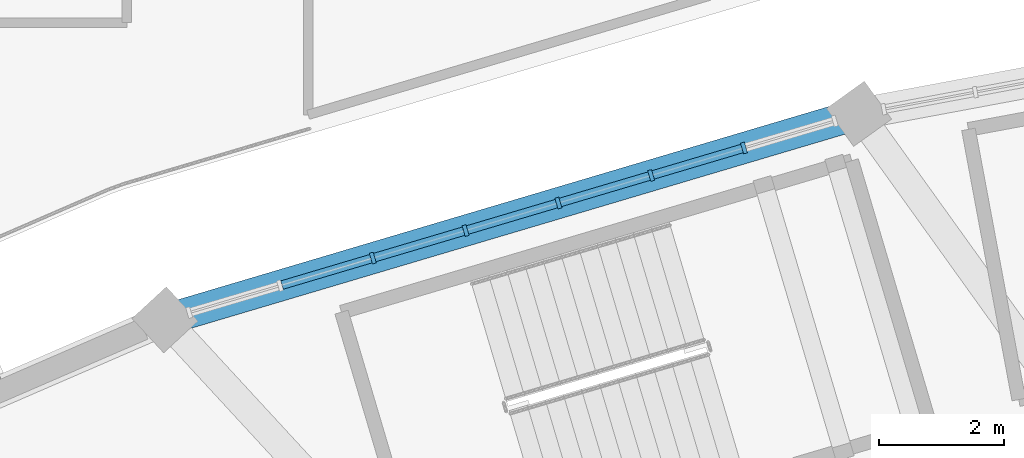
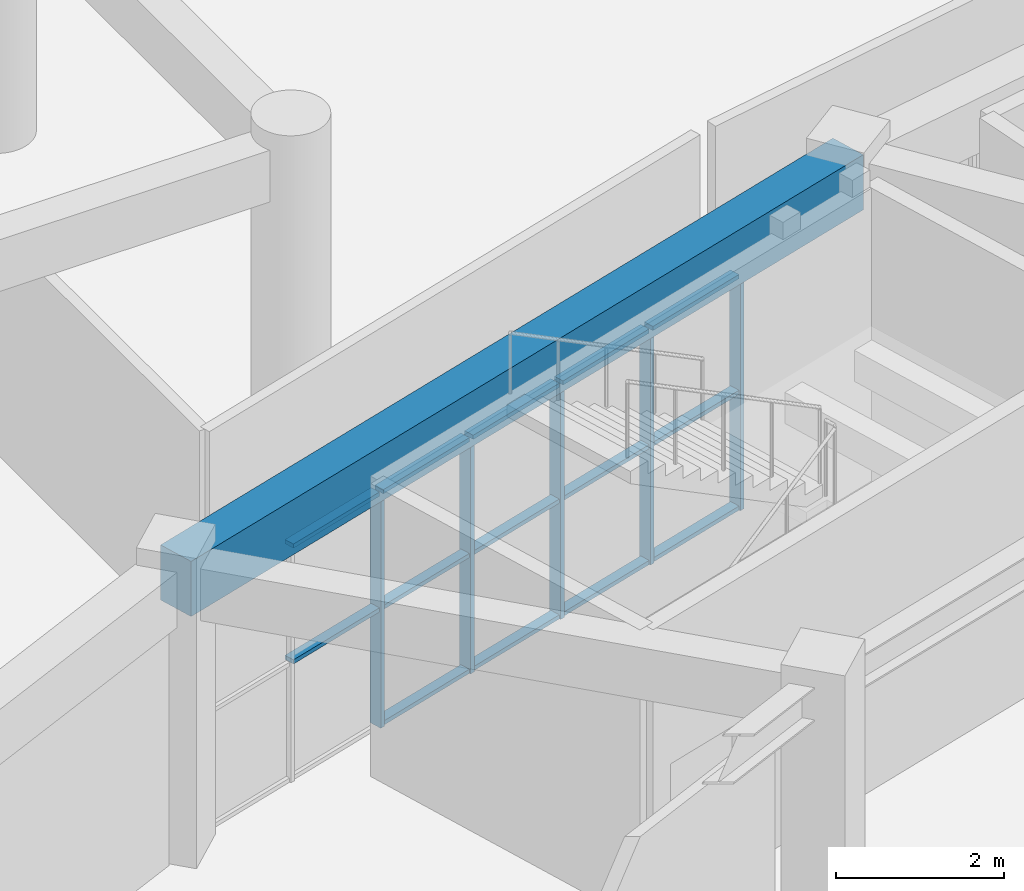
# One storey, part 52 of 141: 19 members, 1 beam, 1 element without a shape of its own.
"""IFC4 building model written with IfcOpenShell, lengths in metres."""

from ifc_helpers import new_model, si_unit, direction, frame, origin, origin_2d, place, context, subcontext, project, spatial, rectangle, extrude, material, layer, layer_set, material_profile, profile_set, type_object, element, aggregate, save


model = new_model("IFC4")

# Units and contexts
model_context = context("Model", 3, precision=1e-05, world=origin(), true_north=direction((0.0, 1.0)))
body_context = subcontext(model_context, "Body", "Model", "MODEL_VIEW")
ifc_project = project(units=[si_unit("LENGTHUNIT", "METRE"), si_unit("AREAUNIT", "SQUARE_METRE"), si_unit("VOLUMEUNIT", "CUBIC_METRE"), si_unit("PLANEANGLEUNIT", "RADIAN"), si_unit("MASSUNIT", "GRAM", prefix="KILO")], contexts=[model_context])

# Site, building, storey
site_placement = place(None, origin())
site = spatial("IfcSite", under=ifc_project, at=site_placement, CompositionType="ELEMENT")
building_placement = place(site_placement, origin())
building = spatial("IfcBuilding", under=site, at=building_placement, Name="Mphavela Belvedere Stadium", CompositionType="ELEMENT")
storey_placement = place(building_placement, frame((0.0, 0.0, 14.699951171875)))
storey = spatial("IfcBuildingStorey", under=building, at=storey_placement, Name="L03", CompositionType="ELEMENT", Elevation=14.699951171875)

# Beam
ifc_material_1 = material(Name="Concrete C40/50", Category="concrete")
ifc_material_profile_1 = material_profile(ifc_material_1, rectangle(XDim=0.5, YDim=0.800048828125, at=origin_2d()), Name="RC 500x800")
ifc_profile_set_1 = profile_set([ifc_material_profile_1], Name="Concrete C40/50")
beam_type = type_object("IfcBeamType", Name="BM-SPANDREL-800", PredefinedType="SPANDREL", material=ifc_profile_set_1)
beam_placement = place(storey_placement, frame((65.19873046875, 156.39697265625, 3.85009765625), z_axis=(-0.958656362639, -0.284566298727, 0.0), x_axis=(0.284566298727, -0.958656362639, 0.0)))
element("IfcBeam", 1, at=beam_placement, inside=storey, type_object=beam_type, Name="Circumferential girder L03 R4-16", PredefinedType="SPANDREL", context=body_context, shape_type="SweptSolid", body=[
    extrude(rectangle(XDim=0.5, YDim=0.800048828125, at=origin_2d()), origin(), (0.0, 0.0, 1.0), 11.616455078125),
])

# Curtain wall, members
ifc_material_2 = material(Name="Anodised bronze unitised curtain wall framing")
ifc_layer = layer(ifc_material_2, 0.18505859375)
ifc_layer_set = layer_set([ifc_layer], Name="Anodised bronze unitised curtain wall framing")
curtain_wall_type = type_object("IfcCurtainWallType", Name="CW-UNIT-02", PredefinedType="USERDEFINED", material=ifc_layer_set)
curtain_wall_placement = place(storey_placement, origin())
curtain_wall = element("IfcCurtainWall", 2, at=curtain_wall_placement, inside=storey, type_object=curtain_wall_type, Name="Belvedere colonnade curtain wall L03-16", ObjectType="UNITISED CURTAIN WALL", PredefinedType="USERDEFINED")
ifc_material_3 = material(Name="Anodised bronze extruded aluminium", Category="aluminium")
ifc_material_profile_2 = material_profile(ifc_material_3, rectangle(XDim=0.179931640625, YDim=0.06494140625, at=origin_2d()), Name="CW-MUL 180x65")
ifc_profile_set_2 = profile_set([ifc_material_profile_2], Name="Anodised bronze extruded aluminium")
member_type_1 = type_object("IfcMemberType", Name="CWM-180x65", PredefinedType="MULLION", material=ifc_profile_set_2)
member_1_placement = place(storey_placement, frame((63.3525390625, 155.848876953125, 0.0), z_axis=(0.0, 0.0, 1.0), x_axis=(0.284565000591, -0.958656747975, 0.0)))
member_1 = element("IfcMember", 3, at=member_1_placement, type_object=member_type_1, Name="CW-02 mullion 2", PredefinedType="MULLION", context=body_context, shape_type="SweptSolid", body=[
    extrude(rectangle(XDim=0.179931640625, YDim=0.06494140625, at=origin_2d()), origin(), (0.0, 0.0, 1.0), 3.420166015625),
])
member_2_placement = place(storey_placement, frame((61.86376953125, 155.406982421875, 0.0), z_axis=(0.0, 0.0, 1.0), x_axis=(0.284565000591, -0.958656747975, 0.0)))
member_2 = element("IfcMember", 4, at=member_2_placement, type_object=member_type_1, Name="CW-02 mullion 3", PredefinedType="MULLION", context=body_context, shape_type="SweptSolid", body=[
    extrude(rectangle(XDim=0.179931640625, YDim=0.06494140625, at=origin_2d()), origin(), (0.0, 0.0, 1.0), 3.420166015625),
])
member_3_placement = place(storey_placement, frame((60.375, 154.965087890625, 0.0), z_axis=(0.0, 0.0, 1.0), x_axis=(0.284565000591, -0.958656747975, 0.0)))
member_3 = element("IfcMember", 5, at=member_3_placement, type_object=member_type_1, Name="CW-02 mullion 4", PredefinedType="MULLION", context=body_context, shape_type="SweptSolid", body=[
    extrude(rectangle(XDim=0.179931640625, YDim=0.06494140625, at=origin_2d()), origin(), (0.0, 0.0, 1.0), 3.420166015625),
])
member_4_placement = place(storey_placement, frame((58.88623046875, 154.523193359375, 0.0), z_axis=(0.0, 0.0, 1.0), x_axis=(0.284565000591, -0.958656747975, 0.0)))
member_4 = element("IfcMember", 6, at=member_4_placement, type_object=member_type_1, Name="CW-02 mullion 5", PredefinedType="MULLION", context=body_context, shape_type="SweptSolid", body=[
    extrude(rectangle(XDim=0.179931640625, YDim=0.06494140625, at=origin_2d()), origin(), (0.0, 0.0, 1.0), 3.420166015625),
])
member_5_placement = place(storey_placement, frame((57.3974609375, 154.081298828125, 0.0), z_axis=(0.0, 0.0, 1.0), x_axis=(0.284565000591, -0.958656747975, 0.0)))
member_5 = element("IfcMember", 7, at=member_5_placement, type_object=member_type_1, Name="CW-02 mullion 6", PredefinedType="MULLION", context=body_context, shape_type="SweptSolid", body=[
    extrude(rectangle(XDim=0.179931640625, YDim=0.06494140625, at=origin_2d()), origin(), (0.0, 0.0, 1.0), 3.420166015625),
])
ifc_material_4 = material(Name="Anodised bronze extruded aluminium", Category="aluminium")
ifc_material_profile_3 = material_profile(ifc_material_4, rectangle(XDim=0.139892578125, YDim=0.06005859375, at=origin_2d()), Name="CW-TRN 140x60")
ifc_profile_set_3 = profile_set([ifc_material_profile_3], Name="Anodised bronze extruded aluminium")
member_type_2 = type_object("IfcMemberType", Name="CWT-140x60", PredefinedType="USERDEFINED", material=ifc_profile_set_3)
member_6_placement = place(storey_placement, frame((63.3212890625, 155.839599609375, 0.030029296875), z_axis=(-0.958675538205, -0.284501691468, 0.0), x_axis=(0.284501691468, -0.958675538205, 0.0)))
member_6 = element("IfcMember", 8, at=member_6_placement, type_object=member_type_2, Name="CW-02 transom 2.1", ObjectType="TRANSOM", PredefinedType="USERDEFINED", context=body_context, shape_type="SweptSolid", body=[
    extrude(rectangle(XDim=0.139892578125, YDim=0.06005859375, at=origin_2d()), origin(), (0.0, 0.0, 1.0), 1.488037109375),
])
member_7_placement = place(storey_placement, frame((63.3212890625, 155.839599609375, 1.7099609375), z_axis=(-0.958675538205, -0.284501691468, 0.0), x_axis=(0.284501691468, -0.958675538205, 0.0)))
member_7 = element("IfcMember", 9, at=member_7_placement, type_object=member_type_2, Name="CW-02 transom 2.2", ObjectType="TRANSOM", PredefinedType="USERDEFINED", context=body_context, shape_type="SweptSolid", body=[
    extrude(rectangle(XDim=0.139892578125, YDim=0.06005859375, at=origin_2d()), origin(), (0.0, 0.0, 1.0), 1.488037109375),
])
member_8_placement = place(storey_placement, frame((63.3212890625, 155.839599609375, 3.39013671875), z_axis=(-0.958675538205, -0.284501691468, 0.0), x_axis=(0.284501691468, -0.958675538205, 0.0)))
member_8 = element("IfcMember", 10, at=member_8_placement, type_object=member_type_2, Name="CW-02 transom 2.3", ObjectType="TRANSOM", PredefinedType="USERDEFINED", context=body_context, shape_type="SweptSolid", body=[
    extrude(rectangle(XDim=0.139892578125, YDim=0.06005859375, at=origin_2d()), origin(), (0.0, 0.0, 1.0), 1.488037109375),
])
member_9_placement = place(storey_placement, frame((61.83251953125, 155.397705078125, 0.030029296875), z_axis=(-0.958675538205, -0.284501691468, 0.0), x_axis=(0.284501691468, -0.958675538205, 0.0)))
member_9 = element("IfcMember", 11, at=member_9_placement, type_object=member_type_2, Name="CW-02 transom 3.1", ObjectType="TRANSOM", PredefinedType="USERDEFINED", context=body_context, shape_type="SweptSolid", body=[
    extrude(rectangle(XDim=0.139892578125, YDim=0.06005859375, at=origin_2d()), origin(), (0.0, 0.0, 1.0), 1.488037109375),
])
member_10_placement = place(storey_placement, frame((61.83251953125, 155.397705078125, 1.7099609375), z_axis=(-0.958675538205, -0.284501691468, 0.0), x_axis=(0.284501691468, -0.958675538205, 0.0)))
member_10 = element("IfcMember", 12, at=member_10_placement, type_object=member_type_2, Name="CW-02 transom 3.2", ObjectType="TRANSOM", PredefinedType="USERDEFINED", context=body_context, shape_type="SweptSolid", body=[
    extrude(rectangle(XDim=0.139892578125, YDim=0.06005859375, at=origin_2d()), origin(), (0.0, 0.0, 1.0), 1.488037109375),
])
member_11_placement = place(storey_placement, frame((61.83251953125, 155.397705078125, 3.39013671875), z_axis=(-0.958675538205, -0.284501691468, 0.0), x_axis=(0.284501691468, -0.958675538205, 0.0)))
member_11 = element("IfcMember", 13, at=member_11_placement, type_object=member_type_2, Name="CW-02 transom 3.3", ObjectType="TRANSOM", PredefinedType="USERDEFINED", context=body_context, shape_type="SweptSolid", body=[
    extrude(rectangle(XDim=0.139892578125, YDim=0.06005859375, at=origin_2d()), origin(), (0.0, 0.0, 1.0), 1.488037109375),
])
member_12_placement = place(storey_placement, frame((60.34375, 154.955810546875, 0.030029296875), z_axis=(-0.958662254845, -0.284546448117, 0.0), x_axis=(0.284546448117, -0.958662254845, 0.0)))
member_12 = element("IfcMember", 14, at=member_12_placement, type_object=member_type_2, Name="CW-02 transom 4.1", ObjectType="TRANSOM", PredefinedType="USERDEFINED", context=body_context, shape_type="SweptSolid", body=[
    extrude(rectangle(XDim=0.139892578125, YDim=0.06005859375, at=origin_2d()), origin(), (0.0, 0.0, 1.0), 1.48779296875),
])
member_13_placement = place(storey_placement, frame((60.34375, 154.955810546875, 1.7099609375), z_axis=(-0.958662254845, -0.284546448117, 0.0), x_axis=(0.284546448117, -0.958662254845, 0.0)))
member_13 = element("IfcMember", 15, at=member_13_placement, type_object=member_type_2, Name="CW-02 transom 4.2", ObjectType="TRANSOM", PredefinedType="USERDEFINED", context=body_context, shape_type="SweptSolid", body=[
    extrude(rectangle(XDim=0.139892578125, YDim=0.06005859375, at=origin_2d()), origin(), (0.0, 0.0, 1.0), 1.48779296875),
])
member_14_placement = place(storey_placement, frame((60.34375, 154.955810546875, 3.39013671875), z_axis=(-0.958662254845, -0.284546448117, 0.0), x_axis=(0.284546448117, -0.958662254845, 0.0)))
member_14 = element("IfcMember", 16, at=member_14_placement, type_object=member_type_2, Name="CW-02 transom 4.3", ObjectType="TRANSOM", PredefinedType="USERDEFINED", context=body_context, shape_type="SweptSolid", body=[
    extrude(rectangle(XDim=0.139892578125, YDim=0.06005859375, at=origin_2d()), origin(), (0.0, 0.0, 1.0), 1.48779296875),
])
member_15_placement = place(storey_placement, frame((58.85498046875, 154.513916015625, 0.030029296875), z_axis=(-0.958662254845, -0.284546448117, 0.0), x_axis=(0.284546448117, -0.958662254845, 0.0)))
member_15 = element("IfcMember", 17, at=member_15_placement, type_object=member_type_2, Name="CW-02 transom 5.1", ObjectType="TRANSOM", PredefinedType="USERDEFINED", context=body_context, shape_type="SweptSolid", body=[
    extrude(rectangle(XDim=0.139892578125, YDim=0.06005859375, at=origin_2d()), origin(), (0.0, 0.0, 1.0), 1.48779296875),
])
member_16_placement = place(storey_placement, frame((58.85498046875, 154.513916015625, 1.7099609375), z_axis=(-0.958662254845, -0.284546448117, 0.0), x_axis=(0.284546448117, -0.958662254845, 0.0)))
member_16 = element("IfcMember", 18, at=member_16_placement, type_object=member_type_2, Name="CW-02 transom 5.2", ObjectType="TRANSOM", PredefinedType="USERDEFINED", context=body_context, shape_type="SweptSolid", body=[
    extrude(rectangle(XDim=0.139892578125, YDim=0.06005859375, at=origin_2d()), origin(), (0.0, 0.0, 1.0), 1.48779296875),
])
member_17_placement = place(storey_placement, frame((58.85498046875, 154.513916015625, 3.39013671875), z_axis=(-0.958662254845, -0.284546448117, 0.0), x_axis=(0.284546448117, -0.958662254845, 0.0)))
member_17 = element("IfcMember", 19, at=member_17_placement, type_object=member_type_2, Name="CW-02 transom 5.3", ObjectType="TRANSOM", PredefinedType="USERDEFINED", context=body_context, shape_type="SweptSolid", body=[
    extrude(rectangle(XDim=0.139892578125, YDim=0.06005859375, at=origin_2d()), origin(), (0.0, 0.0, 1.0), 1.48779296875),
])
member_18_placement = place(storey_placement, frame((57.3662109375, 154.072021484375, 1.7099609375), z_axis=(-0.958662254845, -0.284546448117, 0.0), x_axis=(0.284546448117, -0.958662254845, 0.0)))
member_18 = element("IfcMember", 20, at=member_18_placement, type_object=member_type_2, Name="CW-02 transom 6.2", ObjectType="TRANSOM", PredefinedType="USERDEFINED", context=body_context, shape_type="SweptSolid", body=[
    extrude(rectangle(XDim=0.139892578125, YDim=0.06005859375, at=origin_2d()), origin(), (0.0, 0.0, 1.0), 1.48779296875),
])
member_19_placement = place(storey_placement, frame((57.3662109375, 154.072021484375, 3.39013671875), z_axis=(-0.958662254845, -0.284546448117, 0.0), x_axis=(0.284546448117, -0.958662254845, 0.0)))
member_19 = element("IfcMember", 21, at=member_19_placement, type_object=member_type_2, Name="CW-02 transom 6.3", ObjectType="TRANSOM", PredefinedType="USERDEFINED", context=body_context, shape_type="SweptSolid", body=[
    extrude(rectangle(XDim=0.139892578125, YDim=0.06005859375, at=origin_2d()), origin(), (0.0, 0.0, 1.0), 1.48779296875),
])
aggregate(curtain_wall, [member_1, member_2, member_3, member_4, member_5, member_6, member_7, member_8, member_9, member_10, member_11, member_12, member_13, member_14, member_15, member_16, member_17, member_18, member_19])

save(model, "model.ifc")
